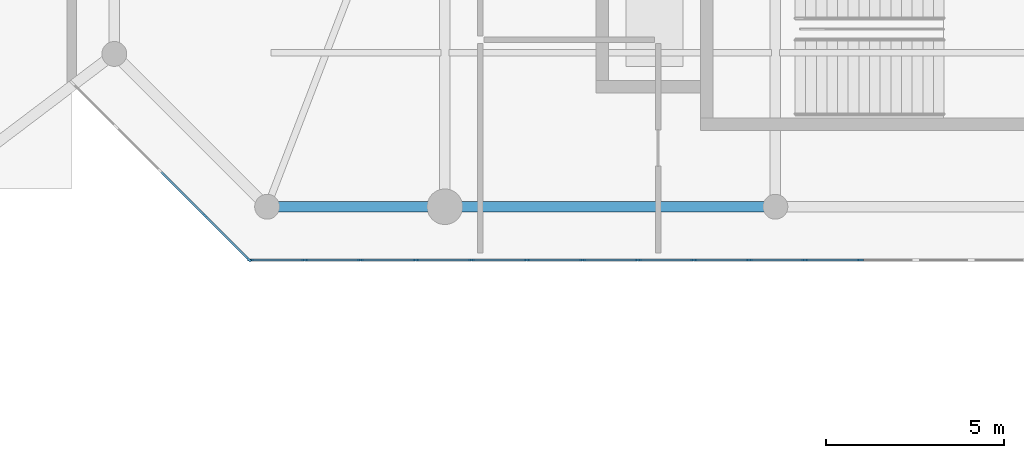
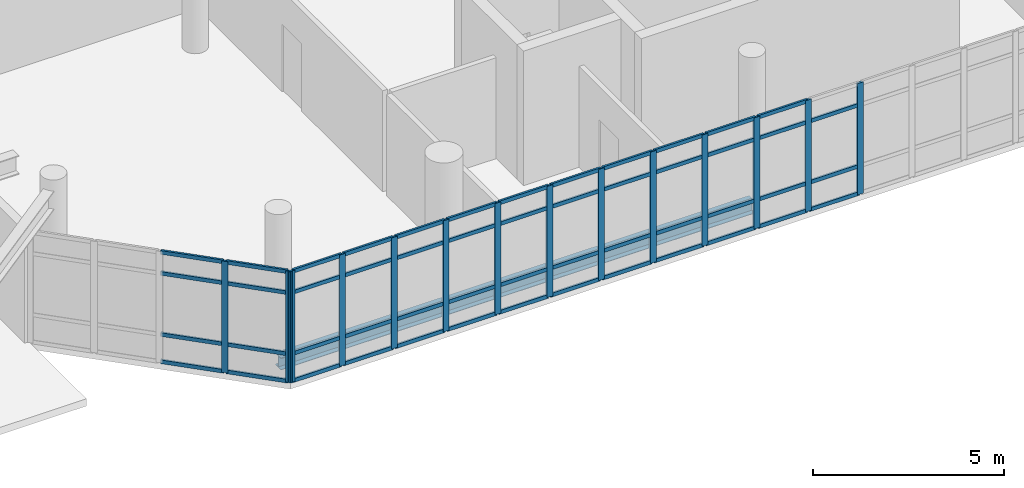
# One storey, part 27 of 122: 65 members, 2 beams, 2 elements without a shape of their own.
"""IFC4 building model written with IfcOpenShell, lengths in metres."""

from ifc_helpers import new_model, si_unit, direction, frame, origin, origin_2d, place, context, subcontext, project, spatial, rectangle, i_section, extrude, material, layer, layer_set, material_profile, profile_set, type_object, element, aggregate, save


model = new_model("IFC4")

# Units and contexts
model_context = context("Model", 3, precision=1e-05, world=origin(), true_north=direction((0.0, 1.0)))
body_context = subcontext(model_context, "Body", "Model", "MODEL_VIEW")
ifc_project = project(units=[si_unit("LENGTHUNIT", "METRE"), si_unit("AREAUNIT", "SQUARE_METRE"), si_unit("VOLUMEUNIT", "CUBIC_METRE"), si_unit("PLANEANGLEUNIT", "RADIAN"), si_unit("MASSUNIT", "GRAM", prefix="KILO")], contexts=[model_context])

# Site, building, storey
site_placement = place(None, origin())
site = spatial("IfcSite", under=ifc_project, at=site_placement, CompositionType="ELEMENT")
building_placement = place(site_placement, origin())
building = spatial("IfcBuilding", under=site, at=building_placement, Name="Sohan Crest Arena", CompositionType="ELEMENT")
storey_placement = place(building_placement, origin())
storey = spatial("IfcBuildingStorey", under=building, at=storey_placement, Name="L00", CompositionType="ELEMENT", Elevation=0.0)

# Curtain wall, members
ifc_material_1 = material(Name="Thermally broken anodised aluminium", Category="aluminium")
ifc_layer = layer(ifc_material_1, 0.199951171875, Name="Thermally broken anodised aluminium")
ifc_layer_set = layer_set([ifc_layer], Name="Thermally broken anodised aluminium")
curtain_wall_type = type_object("IfcCurtainWallType", Name="ARC-CW02", PredefinedType="NOTDEFINED", material=ifc_layer_set)
curtain_wall_1_placement = place(storey_placement, origin())
curtain_wall_1 = element("IfcCurtainWall", 1, at=curtain_wall_1_placement, inside=storey, type_object=curtain_wall_type, Name="Unitised curtain wall CW-202", PredefinedType="NOTDEFINED")
ifc_material_profile_1 = material_profile(ifc_material_1, rectangle(XDim=0.06494140625, YDim=0.179931640625, at=origin_2d()), Name="ALU-MULL 65x180")
ifc_profile_set_1 = profile_set([ifc_material_profile_1], Name="Thermally broken anodised aluminium")
member_type_1 = type_object("IfcMemberType", Name="ARC-CW-ML02", PredefinedType="MULLION", material=ifc_profile_set_1)
member_1_placement = place(storey_placement, frame((19.032470703125, 50.0, 0.0), z_axis=(0.0, 0.0, 1.0), x_axis=(0.0, 1.0, 0.0)))
member_1 = element("IfcMember", 2, at=member_1_placement, type_object=member_type_1, Name="CW-202 mullion 1", PredefinedType="MULLION", context=body_context, shape_type="SweptSolid", body=[
    extrude(rectangle(XDim=0.06494140625, YDim=0.179931640625, at=origin_2d()), origin(), (0.0, 0.0, 1.0), 3.550048828125),
])
member_2_placement = place(storey_placement, frame((20.5625, 50.0, 0.0), z_axis=(0.0, 0.0, 1.0), x_axis=(0.0, 1.0, 0.0)))
member_2 = element("IfcMember", 3, at=member_2_placement, type_object=member_type_1, Name="CW-202 mullion 2", PredefinedType="MULLION", context=body_context, shape_type="SweptSolid", body=[
    extrude(rectangle(XDim=0.06494140625, YDim=0.179931640625, at=origin_2d()), origin(), (0.0, 0.0, 1.0), 3.550048828125),
])
member_3_placement = place(storey_placement, frame((22.125, 50.0, 0.0), z_axis=(0.0, 0.0, 1.0), x_axis=(0.0, 1.0, 0.0)))
member_3 = element("IfcMember", 4, at=member_3_placement, type_object=member_type_1, Name="CW-202 mullion 3", PredefinedType="MULLION", context=body_context, shape_type="SweptSolid", body=[
    extrude(rectangle(XDim=0.06494140625, YDim=0.179931640625, at=origin_2d()), origin(), (0.0, 0.0, 1.0), 3.550048828125),
])
member_4_placement = place(storey_placement, frame((23.6875, 50.0, 0.0), z_axis=(0.0, 0.0, 1.0), x_axis=(0.0, 1.0, 0.0)))
member_4 = element("IfcMember", 5, at=member_4_placement, type_object=member_type_1, Name="CW-202 mullion 4", PredefinedType="MULLION", context=body_context, shape_type="SweptSolid", body=[
    extrude(rectangle(XDim=0.06494140625, YDim=0.179931640625, at=origin_2d()), origin(), (0.0, 0.0, 1.0), 3.550048828125),
])
member_5_placement = place(storey_placement, frame((25.25, 50.0, 0.0), z_axis=(0.0, 0.0, 1.0), x_axis=(0.0, 1.0, 0.0)))
member_5 = element("IfcMember", 6, at=member_5_placement, type_object=member_type_1, Name="CW-202 mullion 5", PredefinedType="MULLION", context=body_context, shape_type="SweptSolid", body=[
    extrude(rectangle(XDim=0.06494140625, YDim=0.179931640625, at=origin_2d()), origin(), (0.0, 0.0, 1.0), 3.550048828125),
])
member_6_placement = place(storey_placement, frame((26.8125, 50.0, 0.0), z_axis=(0.0, 0.0, 1.0), x_axis=(0.0, 1.0, 0.0)))
member_6 = element("IfcMember", 7, at=member_6_placement, type_object=member_type_1, Name="CW-202 mullion 6", PredefinedType="MULLION", context=body_context, shape_type="SweptSolid", body=[
    extrude(rectangle(XDim=0.06494140625, YDim=0.179931640625, at=origin_2d()), origin(), (0.0, 0.0, 1.0), 3.550048828125),
])
member_7_placement = place(storey_placement, frame((28.375, 50.0, 0.0), z_axis=(0.0, 0.0, 1.0), x_axis=(0.0, 1.0, 0.0)))
member_7 = element("IfcMember", 8, at=member_7_placement, type_object=member_type_1, Name="CW-202 mullion 7", PredefinedType="MULLION", context=body_context, shape_type="SweptSolid", body=[
    extrude(rectangle(XDim=0.06494140625, YDim=0.179931640625, at=origin_2d()), origin(), (0.0, 0.0, 1.0), 3.550048828125),
])
member_8_placement = place(storey_placement, frame((29.9375, 50.0, 0.0), z_axis=(0.0, 0.0, 1.0), x_axis=(0.0, 1.0, 0.0)))
member_8 = element("IfcMember", 9, at=member_8_placement, type_object=member_type_1, Name="CW-202 mullion 8", PredefinedType="MULLION", context=body_context, shape_type="SweptSolid", body=[
    extrude(rectangle(XDim=0.06494140625, YDim=0.179931640625, at=origin_2d()), origin(), (0.0, 0.0, 1.0), 3.550048828125),
])
member_9_placement = place(storey_placement, frame((31.5, 50.0, 0.0), z_axis=(0.0, 0.0, 1.0), x_axis=(0.0, 1.0, 0.0)))
member_9 = element("IfcMember", 10, at=member_9_placement, type_object=member_type_1, Name="CW-202 mullion 9", PredefinedType="MULLION", context=body_context, shape_type="SweptSolid", body=[
    extrude(rectangle(XDim=0.06494140625, YDim=0.179931640625, at=origin_2d()), origin(), (0.0, 0.0, 1.0), 3.550048828125),
])
member_10_placement = place(storey_placement, frame((33.0625, 50.0, 0.0), z_axis=(0.0, 0.0, 1.0), x_axis=(0.0, 1.0, 0.0)))
member_10 = element("IfcMember", 11, at=member_10_placement, type_object=member_type_1, Name="CW-202 mullion 10", PredefinedType="MULLION", context=body_context, shape_type="SweptSolid", body=[
    extrude(rectangle(XDim=0.06494140625, YDim=0.179931640625, at=origin_2d()), origin(), (0.0, 0.0, 1.0), 3.550048828125),
])
member_11_placement = place(storey_placement, frame((34.625, 50.0, 0.0), z_axis=(0.0, 0.0, 1.0), x_axis=(0.0, 1.0, 0.0)))
member_11 = element("IfcMember", 12, at=member_11_placement, type_object=member_type_1, Name="CW-202 mullion 11", PredefinedType="MULLION", context=body_context, shape_type="SweptSolid", body=[
    extrude(rectangle(XDim=0.06494140625, YDim=0.179931640625, at=origin_2d()), origin(), (0.0, 0.0, 1.0), 3.550048828125),
])
member_12_placement = place(storey_placement, frame((36.1875, 50.0, 0.0), z_axis=(0.0, 0.0, 1.0), x_axis=(0.0, 1.0, 0.0)))
member_12 = element("IfcMember", 13, at=member_12_placement, type_object=member_type_1, Name="CW-202 mullion 12", PredefinedType="MULLION", context=body_context, shape_type="SweptSolid", body=[
    extrude(rectangle(XDim=0.06494140625, YDim=0.179931640625, at=origin_2d()), origin(), (0.0, 0.0, 1.0), 3.550048828125),
])

curtain_wall_2_placement = place(storey_placement, origin())
curtain_wall_2 = element("IfcCurtainWall", 14, at=curtain_wall_2_placement, inside=storey, type_object=curtain_wall_type, Name="Unitised curtain wall CW-205", PredefinedType="NOTDEFINED")
member_13_placement = place(storey_placement, frame((17.75, 51.25, 0.0), z_axis=(0.0, 0.0, 1.0), x_axis=(0.707106781187, 0.707106781187, 0.0)))
member_13 = element("IfcMember", 15, at=member_13_placement, type_object=member_type_1, Name="CW-205 mullion 4", PredefinedType="MULLION", context=body_context, shape_type="SweptSolid", body=[
    extrude(rectangle(XDim=0.06494140625, YDim=0.179931640625, at=origin_2d()), origin(), (0.0, 0.0, 1.0), 3.550048828125),
])
member_14_placement = place(storey_placement, frame((18.97705078125, 50.02294921875, 0.0), z_axis=(0.0, 0.0, 1.0), x_axis=(0.707106781187, 0.707106781187, 0.0)))
member_14 = element("IfcMember", 16, at=member_14_placement, type_object=member_type_1, Name="CW-205 mullion 5", PredefinedType="MULLION", context=body_context, shape_type="SweptSolid", body=[
    extrude(rectangle(XDim=0.06494140625, YDim=0.179931640625, at=origin_2d()), origin(), (0.0, 0.0, 1.0), 3.550048828125),
])

# Member
ifc_material_profile_2 = material_profile(ifc_material_1, rectangle(XDim=0.06005859375, YDim=0.1201171875, at=origin_2d()), Name="ALU-TRAN 60x120")
ifc_profile_set_2 = profile_set([ifc_material_profile_2], Name="Thermally broken anodised aluminium")
member_type_2 = type_object("IfcMemberType", Name="ARC-CW-TR01", PredefinedType="USERDEFINED", material=ifc_profile_set_2)
member_15_placement = place(storey_placement, frame((19.06494140625, 50.0, 0.030029296875), z_axis=(1.0, 0.0, 0.0), x_axis=(0.0, 1.0, 0.0)))
member_15 = element("IfcMember", 17, at=member_15_placement, type_object=member_type_2, Name="CW-202 transom 1.1", ObjectType="TRANSOM", PredefinedType="USERDEFINED", context=body_context, shape_type="SweptSolid", body=[
    extrude(rectangle(XDim=0.06005859375, YDim=0.1201171875, at=origin_2d()), origin(), (0.0, 0.0, 1.0), 1.465087890625),
])

member_16_placement = place(storey_placement, frame((19.06494140625, 50.0, 0.89990234375), z_axis=(1.0, 0.0, 0.0), x_axis=(0.0, 1.0, 0.0)))
member_16 = element("IfcMember", 18, at=member_16_placement, type_object=member_type_2, Name="CW-202 transom 1.2", ObjectType="TRANSOM", PredefinedType="USERDEFINED", context=body_context, shape_type="SweptSolid", body=[
    extrude(rectangle(XDim=0.06005859375, YDim=0.1201171875, at=origin_2d()), origin(), (0.0, 0.0, 1.0), 1.465087890625),
])

member_17_placement = place(storey_placement, frame((19.06494140625, 50.0, 2.85009765625), z_axis=(1.0, 0.0, 0.0), x_axis=(0.0, 1.0, 0.0)))
member_17 = element("IfcMember", 19, at=member_17_placement, type_object=member_type_2, Name="CW-202 transom 1.3", ObjectType="TRANSOM", PredefinedType="USERDEFINED", context=body_context, shape_type="SweptSolid", body=[
    extrude(rectangle(XDim=0.06005859375, YDim=0.1201171875, at=origin_2d()), origin(), (0.0, 0.0, 1.0), 1.465087890625),
])

member_18_placement = place(storey_placement, frame((19.06494140625, 50.0, 3.52001953125), z_axis=(1.0, 0.0, 0.0), x_axis=(0.0, 1.0, 0.0)))
member_18 = element("IfcMember", 20, at=member_18_placement, type_object=member_type_2, Name="CW-202 transom 1.4", ObjectType="TRANSOM", PredefinedType="USERDEFINED", context=body_context, shape_type="SweptSolid", body=[
    extrude(rectangle(XDim=0.06005859375, YDim=0.1201171875, at=origin_2d()), origin(), (0.0, 0.0, 1.0), 1.465087890625),
])

member_19_placement = place(storey_placement, frame((20.594970703125, 50.0, 0.030029296875), z_axis=(1.0, 0.0, 0.0), x_axis=(0.0, 1.0, 0.0)))
member_19 = element("IfcMember", 21, at=member_19_placement, type_object=member_type_2, Name="CW-202 transom 2.1", ObjectType="TRANSOM", PredefinedType="USERDEFINED", context=body_context, shape_type="SweptSolid", body=[
    extrude(rectangle(XDim=0.06005859375, YDim=0.1201171875, at=origin_2d()), origin(), (0.0, 0.0, 1.0), 1.49755859375),
])

member_20_placement = place(storey_placement, frame((20.594970703125, 50.0, 0.89990234375), z_axis=(1.0, 0.0, 0.0), x_axis=(0.0, 1.0, 0.0)))
member_20 = element("IfcMember", 22, at=member_20_placement, type_object=member_type_2, Name="CW-202 transom 2.2", ObjectType="TRANSOM", PredefinedType="USERDEFINED", context=body_context, shape_type="SweptSolid", body=[
    extrude(rectangle(XDim=0.06005859375, YDim=0.1201171875, at=origin_2d()), origin(), (0.0, 0.0, 1.0), 1.49755859375),
])

member_21_placement = place(storey_placement, frame((20.594970703125, 50.0, 2.85009765625), z_axis=(1.0, 0.0, 0.0), x_axis=(0.0, 1.0, 0.0)))
member_21 = element("IfcMember", 23, at=member_21_placement, type_object=member_type_2, Name="CW-202 transom 2.3", ObjectType="TRANSOM", PredefinedType="USERDEFINED", context=body_context, shape_type="SweptSolid", body=[
    extrude(rectangle(XDim=0.06005859375, YDim=0.1201171875, at=origin_2d()), origin(), (0.0, 0.0, 1.0), 1.49755859375),
])

member_22_placement = place(storey_placement, frame((20.594970703125, 50.0, 3.52001953125), z_axis=(1.0, 0.0, 0.0), x_axis=(0.0, 1.0, 0.0)))
member_22 = element("IfcMember", 24, at=member_22_placement, type_object=member_type_2, Name="CW-202 transom 2.4", ObjectType="TRANSOM", PredefinedType="USERDEFINED", context=body_context, shape_type="SweptSolid", body=[
    extrude(rectangle(XDim=0.06005859375, YDim=0.1201171875, at=origin_2d()), origin(), (0.0, 0.0, 1.0), 1.49755859375),
])

member_23_placement = place(storey_placement, frame((22.157470703125, 50.0, 0.030029296875), z_axis=(1.0, 0.0, 0.0), x_axis=(0.0, 1.0, 0.0)))
member_23 = element("IfcMember", 25, at=member_23_placement, type_object=member_type_2, Name="CW-202 transom 3.1", ObjectType="TRANSOM", PredefinedType="USERDEFINED", context=body_context, shape_type="SweptSolid", body=[
    extrude(rectangle(XDim=0.06005859375, YDim=0.1201171875, at=origin_2d()), origin(), (0.0, 0.0, 1.0), 1.49755859375),
])

member_24_placement = place(storey_placement, frame((22.157470703125, 50.0, 0.89990234375), z_axis=(1.0, 0.0, 0.0), x_axis=(0.0, 1.0, 0.0)))
member_24 = element("IfcMember", 26, at=member_24_placement, type_object=member_type_2, Name="CW-202 transom 3.2", ObjectType="TRANSOM", PredefinedType="USERDEFINED", context=body_context, shape_type="SweptSolid", body=[
    extrude(rectangle(XDim=0.06005859375, YDim=0.1201171875, at=origin_2d()), origin(), (0.0, 0.0, 1.0), 1.49755859375),
])

member_25_placement = place(storey_placement, frame((22.157470703125, 50.0, 2.85009765625), z_axis=(1.0, 0.0, 0.0), x_axis=(0.0, 1.0, 0.0)))
member_25 = element("IfcMember", 27, at=member_25_placement, type_object=member_type_2, Name="CW-202 transom 3.3", ObjectType="TRANSOM", PredefinedType="USERDEFINED", context=body_context, shape_type="SweptSolid", body=[
    extrude(rectangle(XDim=0.06005859375, YDim=0.1201171875, at=origin_2d()), origin(), (0.0, 0.0, 1.0), 1.49755859375),
])

member_26_placement = place(storey_placement, frame((22.157470703125, 50.0, 3.52001953125), z_axis=(1.0, 0.0, 0.0), x_axis=(0.0, 1.0, 0.0)))
member_26 = element("IfcMember", 28, at=member_26_placement, type_object=member_type_2, Name="CW-202 transom 3.4", ObjectType="TRANSOM", PredefinedType="USERDEFINED", context=body_context, shape_type="SweptSolid", body=[
    extrude(rectangle(XDim=0.06005859375, YDim=0.1201171875, at=origin_2d()), origin(), (0.0, 0.0, 1.0), 1.49755859375),
])

member_27_placement = place(storey_placement, frame((23.719970703125, 50.0, 0.030029296875), z_axis=(1.0, 0.0, 0.0), x_axis=(0.0, 1.0, 0.0)))
member_27 = element("IfcMember", 29, at=member_27_placement, type_object=member_type_2, Name="CW-202 transom 4.1", ObjectType="TRANSOM", PredefinedType="USERDEFINED", context=body_context, shape_type="SweptSolid", body=[
    extrude(rectangle(XDim=0.06005859375, YDim=0.1201171875, at=origin_2d()), origin(), (0.0, 0.0, 1.0), 1.49755859375),
])

member_28_placement = place(storey_placement, frame((23.719970703125, 50.0, 0.89990234375), z_axis=(1.0, 0.0, 0.0), x_axis=(0.0, 1.0, 0.0)))
member_28 = element("IfcMember", 30, at=member_28_placement, type_object=member_type_2, Name="CW-202 transom 4.2", ObjectType="TRANSOM", PredefinedType="USERDEFINED", context=body_context, shape_type="SweptSolid", body=[
    extrude(rectangle(XDim=0.06005859375, YDim=0.1201171875, at=origin_2d()), origin(), (0.0, 0.0, 1.0), 1.49755859375),
])

member_29_placement = place(storey_placement, frame((23.719970703125, 50.0, 2.85009765625), z_axis=(1.0, 0.0, 0.0), x_axis=(0.0, 1.0, 0.0)))
member_29 = element("IfcMember", 31, at=member_29_placement, type_object=member_type_2, Name="CW-202 transom 4.3", ObjectType="TRANSOM", PredefinedType="USERDEFINED", context=body_context, shape_type="SweptSolid", body=[
    extrude(rectangle(XDim=0.06005859375, YDim=0.1201171875, at=origin_2d()), origin(), (0.0, 0.0, 1.0), 1.49755859375),
])

member_30_placement = place(storey_placement, frame((23.719970703125, 50.0, 3.52001953125), z_axis=(1.0, 0.0, 0.0), x_axis=(0.0, 1.0, 0.0)))
member_30 = element("IfcMember", 32, at=member_30_placement, type_object=member_type_2, Name="CW-202 transom 4.4", ObjectType="TRANSOM", PredefinedType="USERDEFINED", context=body_context, shape_type="SweptSolid", body=[
    extrude(rectangle(XDim=0.06005859375, YDim=0.1201171875, at=origin_2d()), origin(), (0.0, 0.0, 1.0), 1.49755859375),
])

member_31_placement = place(storey_placement, frame((25.282470703125, 50.0, 0.030029296875), z_axis=(1.0, 0.0, 0.0), x_axis=(0.0, 1.0, 0.0)))
member_31 = element("IfcMember", 33, at=member_31_placement, type_object=member_type_2, Name="CW-202 transom 5.1", ObjectType="TRANSOM", PredefinedType="USERDEFINED", context=body_context, shape_type="SweptSolid", body=[
    extrude(rectangle(XDim=0.06005859375, YDim=0.1201171875, at=origin_2d()), origin(), (0.0, 0.0, 1.0), 1.49755859375),
])

member_32_placement = place(storey_placement, frame((25.282470703125, 50.0, 0.89990234375), z_axis=(1.0, 0.0, 0.0), x_axis=(0.0, 1.0, 0.0)))
member_32 = element("IfcMember", 34, at=member_32_placement, type_object=member_type_2, Name="CW-202 transom 5.2", ObjectType="TRANSOM", PredefinedType="USERDEFINED", context=body_context, shape_type="SweptSolid", body=[
    extrude(rectangle(XDim=0.06005859375, YDim=0.1201171875, at=origin_2d()), origin(), (0.0, 0.0, 1.0), 1.49755859375),
])

member_33_placement = place(storey_placement, frame((25.282470703125, 50.0, 2.85009765625), z_axis=(1.0, 0.0, 0.0), x_axis=(0.0, 1.0, 0.0)))
member_33 = element("IfcMember", 35, at=member_33_placement, type_object=member_type_2, Name="CW-202 transom 5.3", ObjectType="TRANSOM", PredefinedType="USERDEFINED", context=body_context, shape_type="SweptSolid", body=[
    extrude(rectangle(XDim=0.06005859375, YDim=0.1201171875, at=origin_2d()), origin(), (0.0, 0.0, 1.0), 1.49755859375),
])

member_34_placement = place(storey_placement, frame((25.282470703125, 50.0, 3.52001953125), z_axis=(1.0, 0.0, 0.0), x_axis=(0.0, 1.0, 0.0)))
member_34 = element("IfcMember", 36, at=member_34_placement, type_object=member_type_2, Name="CW-202 transom 5.4", ObjectType="TRANSOM", PredefinedType="USERDEFINED", context=body_context, shape_type="SweptSolid", body=[
    extrude(rectangle(XDim=0.06005859375, YDim=0.1201171875, at=origin_2d()), origin(), (0.0, 0.0, 1.0), 1.49755859375),
])

member_35_placement = place(storey_placement, frame((26.844970703125, 50.0, 0.030029296875), z_axis=(1.0, 0.0, 0.0), x_axis=(0.0, 1.0, 0.0)))
member_35 = element("IfcMember", 37, at=member_35_placement, type_object=member_type_2, Name="CW-202 transom 6.1", ObjectType="TRANSOM", PredefinedType="USERDEFINED", context=body_context, shape_type="SweptSolid", body=[
    extrude(rectangle(XDim=0.06005859375, YDim=0.1201171875, at=origin_2d()), origin(), (0.0, 0.0, 1.0), 1.49755859375),
])

member_36_placement = place(storey_placement, frame((26.844970703125, 50.0, 0.89990234375), z_axis=(1.0, 0.0, 0.0), x_axis=(0.0, 1.0, 0.0)))
member_36 = element("IfcMember", 38, at=member_36_placement, type_object=member_type_2, Name="CW-202 transom 6.2", ObjectType="TRANSOM", PredefinedType="USERDEFINED", context=body_context, shape_type="SweptSolid", body=[
    extrude(rectangle(XDim=0.06005859375, YDim=0.1201171875, at=origin_2d()), origin(), (0.0, 0.0, 1.0), 1.49755859375),
])

member_37_placement = place(storey_placement, frame((26.844970703125, 50.0, 2.85009765625), z_axis=(1.0, 0.0, 0.0), x_axis=(0.0, 1.0, 0.0)))
member_37 = element("IfcMember", 39, at=member_37_placement, type_object=member_type_2, Name="CW-202 transom 6.3", ObjectType="TRANSOM", PredefinedType="USERDEFINED", context=body_context, shape_type="SweptSolid", body=[
    extrude(rectangle(XDim=0.06005859375, YDim=0.1201171875, at=origin_2d()), origin(), (0.0, 0.0, 1.0), 1.49755859375),
])

member_38_placement = place(storey_placement, frame((26.844970703125, 50.0, 3.52001953125), z_axis=(1.0, 0.0, 0.0), x_axis=(0.0, 1.0, 0.0)))
member_38 = element("IfcMember", 40, at=member_38_placement, type_object=member_type_2, Name="CW-202 transom 6.4", ObjectType="TRANSOM", PredefinedType="USERDEFINED", context=body_context, shape_type="SweptSolid", body=[
    extrude(rectangle(XDim=0.06005859375, YDim=0.1201171875, at=origin_2d()), origin(), (0.0, 0.0, 1.0), 1.49755859375),
])

member_39_placement = place(storey_placement, frame((28.407470703125, 50.0, 0.030029296875), z_axis=(1.0, 0.0, 0.0), x_axis=(0.0, 1.0, 0.0)))
member_39 = element("IfcMember", 41, at=member_39_placement, type_object=member_type_2, Name="CW-202 transom 7.1", ObjectType="TRANSOM", PredefinedType="USERDEFINED", context=body_context, shape_type="SweptSolid", body=[
    extrude(rectangle(XDim=0.06005859375, YDim=0.1201171875, at=origin_2d()), origin(), (0.0, 0.0, 1.0), 1.49755859375),
])

member_40_placement = place(storey_placement, frame((28.407470703125, 50.0, 0.89990234375), z_axis=(1.0, 0.0, 0.0), x_axis=(0.0, 1.0, 0.0)))
member_40 = element("IfcMember", 42, at=member_40_placement, type_object=member_type_2, Name="CW-202 transom 7.2", ObjectType="TRANSOM", PredefinedType="USERDEFINED", context=body_context, shape_type="SweptSolid", body=[
    extrude(rectangle(XDim=0.06005859375, YDim=0.1201171875, at=origin_2d()), origin(), (0.0, 0.0, 1.0), 1.49755859375),
])

member_41_placement = place(storey_placement, frame((28.407470703125, 50.0, 2.85009765625), z_axis=(1.0, 0.0, 0.0), x_axis=(0.0, 1.0, 0.0)))
member_41 = element("IfcMember", 43, at=member_41_placement, type_object=member_type_2, Name="CW-202 transom 7.3", ObjectType="TRANSOM", PredefinedType="USERDEFINED", context=body_context, shape_type="SweptSolid", body=[
    extrude(rectangle(XDim=0.06005859375, YDim=0.1201171875, at=origin_2d()), origin(), (0.0, 0.0, 1.0), 1.49755859375),
])

member_42_placement = place(storey_placement, frame((28.407470703125, 50.0, 3.52001953125), z_axis=(1.0, 0.0, 0.0), x_axis=(0.0, 1.0, 0.0)))
member_42 = element("IfcMember", 44, at=member_42_placement, type_object=member_type_2, Name="CW-202 transom 7.4", ObjectType="TRANSOM", PredefinedType="USERDEFINED", context=body_context, shape_type="SweptSolid", body=[
    extrude(rectangle(XDim=0.06005859375, YDim=0.1201171875, at=origin_2d()), origin(), (0.0, 0.0, 1.0), 1.49755859375),
])

member_43_placement = place(storey_placement, frame((29.969970703125, 50.0, 0.030029296875), z_axis=(1.0, 0.0, 0.0), x_axis=(0.0, 1.0, 0.0)))
member_43 = element("IfcMember", 45, at=member_43_placement, type_object=member_type_2, Name="CW-202 transom 8.1", ObjectType="TRANSOM", PredefinedType="USERDEFINED", context=body_context, shape_type="SweptSolid", body=[
    extrude(rectangle(XDim=0.06005859375, YDim=0.1201171875, at=origin_2d()), origin(), (0.0, 0.0, 1.0), 1.49755859375),
])

member_44_placement = place(storey_placement, frame((29.969970703125, 50.0, 0.89990234375), z_axis=(1.0, 0.0, 0.0), x_axis=(0.0, 1.0, 0.0)))
member_44 = element("IfcMember", 46, at=member_44_placement, type_object=member_type_2, Name="CW-202 transom 8.2", ObjectType="TRANSOM", PredefinedType="USERDEFINED", context=body_context, shape_type="SweptSolid", body=[
    extrude(rectangle(XDim=0.06005859375, YDim=0.1201171875, at=origin_2d()), origin(), (0.0, 0.0, 1.0), 1.49755859375),
])

member_45_placement = place(storey_placement, frame((29.969970703125, 50.0, 2.85009765625), z_axis=(1.0, 0.0, 0.0), x_axis=(0.0, 1.0, 0.0)))
member_45 = element("IfcMember", 47, at=member_45_placement, type_object=member_type_2, Name="CW-202 transom 8.3", ObjectType="TRANSOM", PredefinedType="USERDEFINED", context=body_context, shape_type="SweptSolid", body=[
    extrude(rectangle(XDim=0.06005859375, YDim=0.1201171875, at=origin_2d()), origin(), (0.0, 0.0, 1.0), 1.49755859375),
])

member_46_placement = place(storey_placement, frame((29.969970703125, 50.0, 3.52001953125), z_axis=(1.0, 0.0, 0.0), x_axis=(0.0, 1.0, 0.0)))
member_46 = element("IfcMember", 48, at=member_46_placement, type_object=member_type_2, Name="CW-202 transom 8.4", ObjectType="TRANSOM", PredefinedType="USERDEFINED", context=body_context, shape_type="SweptSolid", body=[
    extrude(rectangle(XDim=0.06005859375, YDim=0.1201171875, at=origin_2d()), origin(), (0.0, 0.0, 1.0), 1.49755859375),
])

member_47_placement = place(storey_placement, frame((31.532470703125, 50.0, 0.030029296875), z_axis=(1.0, 0.0, 0.0), x_axis=(0.0, 1.0, 0.0)))
member_47 = element("IfcMember", 49, at=member_47_placement, type_object=member_type_2, Name="CW-202 transom 9.1", ObjectType="TRANSOM", PredefinedType="USERDEFINED", context=body_context, shape_type="SweptSolid", body=[
    extrude(rectangle(XDim=0.06005859375, YDim=0.1201171875, at=origin_2d()), origin(), (0.0, 0.0, 1.0), 1.49755859375),
])

member_48_placement = place(storey_placement, frame((31.532470703125, 50.0, 0.89990234375), z_axis=(1.0, 0.0, 0.0), x_axis=(0.0, 1.0, 0.0)))
member_48 = element("IfcMember", 50, at=member_48_placement, type_object=member_type_2, Name="CW-202 transom 9.2", ObjectType="TRANSOM", PredefinedType="USERDEFINED", context=body_context, shape_type="SweptSolid", body=[
    extrude(rectangle(XDim=0.06005859375, YDim=0.1201171875, at=origin_2d()), origin(), (0.0, 0.0, 1.0), 1.49755859375),
])

member_49_placement = place(storey_placement, frame((31.532470703125, 50.0, 2.85009765625), z_axis=(1.0, 0.0, 0.0), x_axis=(0.0, 1.0, 0.0)))
member_49 = element("IfcMember", 51, at=member_49_placement, type_object=member_type_2, Name="CW-202 transom 9.3", ObjectType="TRANSOM", PredefinedType="USERDEFINED", context=body_context, shape_type="SweptSolid", body=[
    extrude(rectangle(XDim=0.06005859375, YDim=0.1201171875, at=origin_2d()), origin(), (0.0, 0.0, 1.0), 1.49755859375),
])

member_50_placement = place(storey_placement, frame((31.532470703125, 50.0, 3.52001953125), z_axis=(1.0, 0.0, 0.0), x_axis=(0.0, 1.0, 0.0)))
member_50 = element("IfcMember", 52, at=member_50_placement, type_object=member_type_2, Name="CW-202 transom 9.4", ObjectType="TRANSOM", PredefinedType="USERDEFINED", context=body_context, shape_type="SweptSolid", body=[
    extrude(rectangle(XDim=0.06005859375, YDim=0.1201171875, at=origin_2d()), origin(), (0.0, 0.0, 1.0), 1.49755859375),
])

member_51_placement = place(storey_placement, frame((33.094970703125, 50.0, 0.030029296875), z_axis=(1.0, 0.0, 0.0), x_axis=(0.0, 1.0, 0.0)))
member_51 = element("IfcMember", 53, at=member_51_placement, type_object=member_type_2, Name="CW-202 transom 10.1", ObjectType="TRANSOM", PredefinedType="USERDEFINED", context=body_context, shape_type="SweptSolid", body=[
    extrude(rectangle(XDim=0.06005859375, YDim=0.1201171875, at=origin_2d()), origin(), (0.0, 0.0, 1.0), 1.49755859375),
])

member_52_placement = place(storey_placement, frame((33.094970703125, 50.0, 0.89990234375), z_axis=(1.0, 0.0, 0.0), x_axis=(0.0, 1.0, 0.0)))
member_52 = element("IfcMember", 54, at=member_52_placement, type_object=member_type_2, Name="CW-202 transom 10.2", ObjectType="TRANSOM", PredefinedType="USERDEFINED", context=body_context, shape_type="SweptSolid", body=[
    extrude(rectangle(XDim=0.06005859375, YDim=0.1201171875, at=origin_2d()), origin(), (0.0, 0.0, 1.0), 1.49755859375),
])

member_53_placement = place(storey_placement, frame((33.094970703125, 50.0, 2.85009765625), z_axis=(1.0, 0.0, 0.0), x_axis=(0.0, 1.0, 0.0)))
member_53 = element("IfcMember", 55, at=member_53_placement, type_object=member_type_2, Name="CW-202 transom 10.3", ObjectType="TRANSOM", PredefinedType="USERDEFINED", context=body_context, shape_type="SweptSolid", body=[
    extrude(rectangle(XDim=0.06005859375, YDim=0.1201171875, at=origin_2d()), origin(), (0.0, 0.0, 1.0), 1.49755859375),
])

member_54_placement = place(storey_placement, frame((33.094970703125, 50.0, 3.52001953125), z_axis=(1.0, 0.0, 0.0), x_axis=(0.0, 1.0, 0.0)))
member_54 = element("IfcMember", 56, at=member_54_placement, type_object=member_type_2, Name="CW-202 transom 10.4", ObjectType="TRANSOM", PredefinedType="USERDEFINED", context=body_context, shape_type="SweptSolid", body=[
    extrude(rectangle(XDim=0.06005859375, YDim=0.1201171875, at=origin_2d()), origin(), (0.0, 0.0, 1.0), 1.49755859375),
])

member_55_placement = place(storey_placement, frame((34.657470703125, 50.0, 0.030029296875), z_axis=(1.0, 0.0, 0.0), x_axis=(0.0, 1.0, 0.0)))
member_55 = element("IfcMember", 57, at=member_55_placement, type_object=member_type_2, Name="CW-202 transom 11.1", ObjectType="TRANSOM", PredefinedType="USERDEFINED", context=body_context, shape_type="SweptSolid", body=[
    extrude(rectangle(XDim=0.06005859375, YDim=0.1201171875, at=origin_2d()), origin(), (0.0, 0.0, 1.0), 1.49755859375),
])

member_56_placement = place(storey_placement, frame((34.657470703125, 50.0, 0.89990234375), z_axis=(1.0, 0.0, 0.0), x_axis=(0.0, 1.0, 0.0)))
member_56 = element("IfcMember", 58, at=member_56_placement, type_object=member_type_2, Name="CW-202 transom 11.2", ObjectType="TRANSOM", PredefinedType="USERDEFINED", context=body_context, shape_type="SweptSolid", body=[
    extrude(rectangle(XDim=0.06005859375, YDim=0.1201171875, at=origin_2d()), origin(), (0.0, 0.0, 1.0), 1.49755859375),
])

member_57_placement = place(storey_placement, frame((34.657470703125, 50.0, 2.85009765625), z_axis=(1.0, 0.0, 0.0), x_axis=(0.0, 1.0, 0.0)))
member_57 = element("IfcMember", 59, at=member_57_placement, type_object=member_type_2, Name="CW-202 transom 11.3", ObjectType="TRANSOM", PredefinedType="USERDEFINED", context=body_context, shape_type="SweptSolid", body=[
    extrude(rectangle(XDim=0.06005859375, YDim=0.1201171875, at=origin_2d()), origin(), (0.0, 0.0, 1.0), 1.49755859375),
])

aggregate(curtain_wall_1, [member_1, member_2, member_3, member_4, member_5, member_6, member_7, member_8, member_9, member_10, member_11, member_12, member_15, member_16, member_17, member_18, member_19, member_20, member_21, member_22, member_23, member_24, member_25, member_26, member_27, member_28, member_29, member_30, member_31, member_32, member_33, member_34, member_35, member_36, member_37, member_38, member_39, member_40, member_41, member_42, member_43, member_44, member_45, member_46, member_47, member_48, member_49, member_50, member_51, member_52, member_53, member_54, member_55, member_56, member_57])

member_58_placement = place(storey_placement, frame((16.52294921875, 52.47705078125, 0.030029296875), z_axis=(0.707106781187, -0.707106781187, 0.0), x_axis=(0.707106781187, 0.707106781187, 0.0)))
member_58 = element("IfcMember", 60, at=member_58_placement, type_object=member_type_2, Name="CW-205 transom 3.1", ObjectType="TRANSOM", PredefinedType="USERDEFINED", context=body_context, shape_type="SweptSolid", body=[
    extrude(rectangle(XDim=0.06005859375, YDim=0.1201171875, at=origin_2d()), origin(), (0.0, 0.0, 1.0), 1.702880859375),
])

member_59_placement = place(storey_placement, frame((16.52294921875, 52.47705078125, 0.89990234375), z_axis=(0.707106781187, -0.707106781187, 0.0), x_axis=(0.707106781187, 0.707106781187, 0.0)))
member_59 = element("IfcMember", 61, at=member_59_placement, type_object=member_type_2, Name="CW-205 transom 3.2", ObjectType="TRANSOM", PredefinedType="USERDEFINED", context=body_context, shape_type="SweptSolid", body=[
    extrude(rectangle(XDim=0.06005859375, YDim=0.1201171875, at=origin_2d()), origin(), (0.0, 0.0, 1.0), 1.702880859375),
])

member_60_placement = place(storey_placement, frame((16.52294921875, 52.47705078125, 2.85009765625), z_axis=(0.707106781187, -0.707106781187, 0.0), x_axis=(0.707106781187, 0.707106781187, 0.0)))
member_60 = element("IfcMember", 62, at=member_60_placement, type_object=member_type_2, Name="CW-205 transom 3.3", ObjectType="TRANSOM", PredefinedType="USERDEFINED", context=body_context, shape_type="SweptSolid", body=[
    extrude(rectangle(XDim=0.06005859375, YDim=0.1201171875, at=origin_2d()), origin(), (0.0, 0.0, 1.0), 1.702880859375),
])

member_61_placement = place(storey_placement, frame((16.52294921875, 52.47705078125, 3.52001953125), z_axis=(0.707106781187, -0.707106781187, 0.0), x_axis=(0.707106781187, 0.707106781187, 0.0)))
member_61 = element("IfcMember", 63, at=member_61_placement, type_object=member_type_2, Name="CW-205 transom 3.4", ObjectType="TRANSOM", PredefinedType="USERDEFINED", context=body_context, shape_type="SweptSolid", body=[
    extrude(rectangle(XDim=0.06005859375, YDim=0.1201171875, at=origin_2d()), origin(), (0.0, 0.0, 1.0), 1.702880859375),
])

member_62_placement = place(storey_placement, frame((17.77294921875, 51.22705078125, 0.030029296875), z_axis=(0.707106781187, -0.707106781187, 0.0), x_axis=(0.707106781187, 0.707106781187, 0.0)))
member_62 = element("IfcMember", 64, at=member_62_placement, type_object=member_type_2, Name="CW-205 transom 4.1", ObjectType="TRANSOM", PredefinedType="USERDEFINED", context=body_context, shape_type="SweptSolid", body=[
    extrude(rectangle(XDim=0.06005859375, YDim=0.1201171875, at=origin_2d()), origin(), (0.0, 0.0, 1.0), 1.67041015625),
])

member_63_placement = place(storey_placement, frame((17.77294921875, 51.22705078125, 0.89990234375), z_axis=(0.707106781187, -0.707106781187, 0.0), x_axis=(0.707106781187, 0.707106781187, 0.0)))
member_63 = element("IfcMember", 65, at=member_63_placement, type_object=member_type_2, Name="CW-205 transom 4.2", ObjectType="TRANSOM", PredefinedType="USERDEFINED", context=body_context, shape_type="SweptSolid", body=[
    extrude(rectangle(XDim=0.06005859375, YDim=0.1201171875, at=origin_2d()), origin(), (0.0, 0.0, 1.0), 1.67041015625),
])

member_64_placement = place(storey_placement, frame((17.77294921875, 51.22705078125, 2.85009765625), z_axis=(0.707106781187, -0.707106781187, 0.0), x_axis=(0.707106781187, 0.707106781187, 0.0)))
member_64 = element("IfcMember", 66, at=member_64_placement, type_object=member_type_2, Name="CW-205 transom 4.3", ObjectType="TRANSOM", PredefinedType="USERDEFINED", context=body_context, shape_type="SweptSolid", body=[
    extrude(rectangle(XDim=0.06005859375, YDim=0.1201171875, at=origin_2d()), origin(), (0.0, 0.0, 1.0), 1.67041015625),
])

member_65_placement = place(storey_placement, frame((17.77294921875, 51.22705078125, 3.52001953125), z_axis=(0.707106781187, -0.707106781187, 0.0), x_axis=(0.707106781187, 0.707106781187, 0.0)))
member_65 = element("IfcMember", 67, at=member_65_placement, type_object=member_type_2, Name="CW-205 transom 4.4", ObjectType="TRANSOM", PredefinedType="USERDEFINED", context=body_context, shape_type="SweptSolid", body=[
    extrude(rectangle(XDim=0.06005859375, YDim=0.1201171875, at=origin_2d()), origin(), (0.0, 0.0, 1.0), 1.67041015625),
])

aggregate(curtain_wall_2, [member_13, member_14, member_58, member_59, member_60, member_61, member_62, member_63, member_64, member_65])

# Beams
ifc_material_2 = material(Name="Steel S355", Category="steel")
ifc_material_profile_3 = material_profile(ifc_material_2, i_section(OverallWidth=0.300048828125, OverallDepth=0.389892578125, WebThickness=0.010986328125, FlangeThickness=0.01904296875, at=origin_2d()), Name="HEA 400")
ifc_profile_set_3 = profile_set([ifc_material_profile_3], Name="Steel S355")
beam_type = type_object("IfcBeamType", Name="STR-BM-B09", PredefinedType="BEAM", material=ifc_profile_set_3)
beam_1_placement = place(storey_placement, frame((19.5, 51.5, -0.425048828125), z_axis=(1.0, 0.0, 0.0), x_axis=(0.0, 1.0, 0.0)))
element("IfcBeam", 68, at=beam_1_placement, inside=storey, type_object=beam_type, Name="Structural beam G-L00-1936", PredefinedType="BEAM", context=body_context, shape_type="SweptSolid", body=[
    extrude(i_section(OverallWidth=0.300048828125, OverallDepth=0.389892578125, WebThickness=0.010986328125, FlangeThickness=0.01904296875, at=origin_2d()), origin(), (0.0, 0.0, 1.0), 5.0),
])
beam_2_placement = place(storey_placement, frame((24.5, 51.5, -0.425048828125), z_axis=(1.0, 0.0, 0.0), x_axis=(0.0, 1.0, 0.0)))
element("IfcBeam", 69, at=beam_2_placement, inside=storey, type_object=beam_type, Name="Structural beam G-L00-1939", PredefinedType="BEAM", context=body_context, shape_type="SweptSolid", body=[
    extrude(i_section(OverallWidth=0.300048828125, OverallDepth=0.389892578125, WebThickness=0.010986328125, FlangeThickness=0.01904296875, at=origin_2d()), origin(), (0.0, 0.0, 1.0), 9.300048828125),
])

save(model, "model.ifc")
